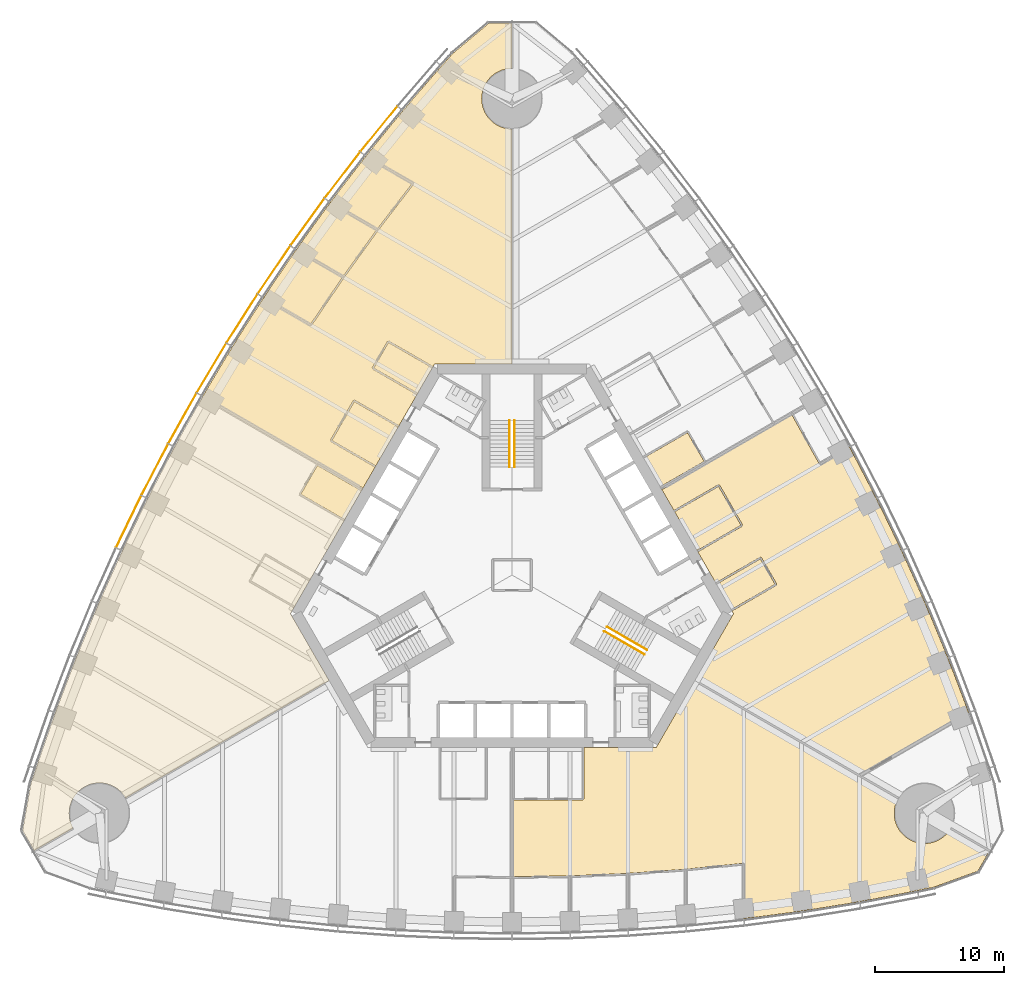
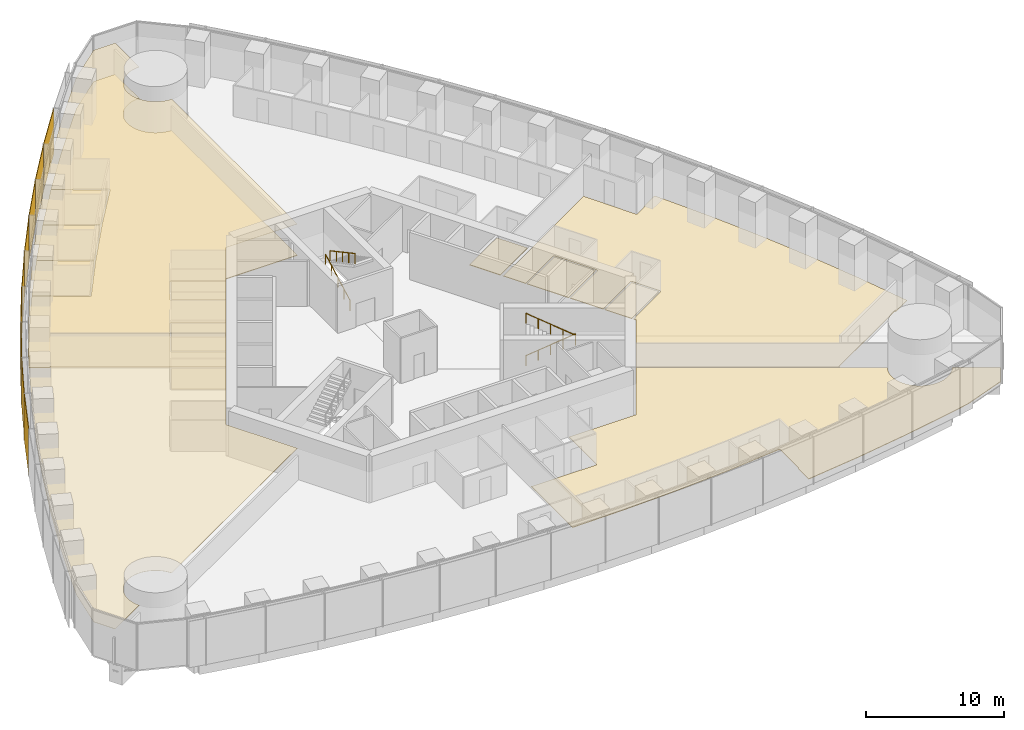
# One storey, part 15 of 18: 13 coverings, 9 shading devices, 4 railings.
"""IFC4 building model written with IfcOpenShell, lengths in metres."""

from ifc_helpers import new_model, si_unit, direction, frame, origin, origin_2d, place, context, subcontext, project, spatial, polyline, rectangle, circle, outline, extrude, material, layer, layer_set, type_object, element, save


model = new_model("IFC4")

# Units and contexts
model_context = context("Model", 3, precision=1e-05, world=origin(), true_north=direction((0.0, 1.0)))
body_context = subcontext(model_context, "Body", "Model", "MODEL_VIEW")
ifc_project = project(units=[si_unit("LENGTHUNIT", "METRE"), si_unit("AREAUNIT", "SQUARE_METRE"), si_unit("VOLUMEUNIT", "CUBIC_METRE"), si_unit("PLANEANGLEUNIT", "RADIAN"), si_unit("MASSUNIT", "GRAM", prefix="KILO")], contexts=[model_context])

# Site, building, storey
site_placement = place(None, origin())
site = spatial("IfcSite", under=ifc_project, at=site_placement, CompositionType="ELEMENT")
building_placement = place(site_placement, origin())
building = spatial("IfcBuilding", under=site, at=building_placement, Name="Trefoil Bronze Tower", CompositionType="ELEMENT")
storey_placement = place(building_placement, frame((0.0, 0.0, 37.5)))
storey = spatial("IfcBuildingStorey", under=building, at=storey_placement, Name="L08", CompositionType="ELEMENT", Elevation=37.5)

# Shading devices
ifc_material_1 = material(Name="Perforated bronze sheet", Category="bronze")
ifc_layer_1 = layer(ifc_material_1, 0.0400390625)
ifc_layer_set_1 = layer_set([ifc_layer_1], Name="Bronze solar screen panel")
shading_device_type = type_object("IfcShadingDeviceType", Name="Bronze solar screen panel", PredefinedType="SHUTTER", material=ifc_layer_set_1)
shading_device_1_placement = place(storey_placement, frame((-10.338623046875, 34.6474609375, 0.050048828125), z_axis=(0.0, 0.0, 1.0), x_axis=(-0.631810729457, -0.775122701346, 0.0)))
element("IfcShadingDevice", 1, at=shading_device_1_placement, inside=storey, type_object=shading_device_type, Name="Solar screen CW-A L08 F3 bay 3", PredefinedType="SHUTTER", context=body_context, shape_type="SweptSolid", body=[
    extrude(rectangle(XDim=4.5283203125, YDim=0.0400390625, at=origin_2d()), origin(), (0.0, 0.0, 1.0), 4.10009765625),
])
shading_device_2_placement = place(storey_placement, frame((-13.170166015625, 31.06787109375, 0.050048828125), z_axis=(0.0, 0.0, 1.0), x_axis=(-0.608807670879, -0.793317855515, 0.0)))
element("IfcShadingDevice", 2, at=shading_device_2_placement, inside=storey, type_object=shading_device_type, Name="Solar screen CW-A L08 F3 bay 4", PredefinedType="SHUTTER", context=body_context, shape_type="SweptSolid", body=[
    extrude(rectangle(XDim=4.5087890625, YDim=0.0400390625, at=origin_2d()), origin(), (0.0, 0.0, 1.0), 4.10009765625),
])
shading_device_3_placement = place(storey_placement, frame((-15.88525390625, 27.421142578125, 0.050048828125), z_axis=(0.0, 0.0, 1.0), x_axis=(-0.585372522213, -0.810764460394, 0.0)))
element("IfcShadingDevice", 3, at=shading_device_3_placement, inside=storey, type_object=shading_device_type, Name="Solar screen CW-A L08 F3 bay 5", PredefinedType="SHUTTER", context=body_context, shape_type="SweptSolid", body=[
    extrude(rectangle(XDim=4.493408203125, YDim=0.0400390625, at=origin_2d()), origin(), (0.0, 0.0, 1.0), 4.10009765625),
])
shading_device_4_placement = place(storey_placement, frame((-18.48486328125, 23.707763671875, 0.050048828125), z_axis=(0.0, 0.0, 1.0), x_axis=(-0.56150968077, -0.827470167681, 0.0)))
element("IfcShadingDevice", 4, at=shading_device_4_placement, inside=storey, type_object=shading_device_type, Name="Solar screen CW-A L08 F3 bay 6", PredefinedType="SHUTTER", context=body_context, shape_type="SweptSolid", body=[
    extrude(rectangle(XDim=4.48193359375, YDim=0.0400390625, at=origin_2d()), origin(), (0.0, 0.0, 1.0), 4.10009765625),
])
shading_device_5_placement = place(storey_placement, frame((-20.97021484375, 19.928466796875, 0.050048828125), z_axis=(0.0, 0.0, 1.0), x_axis=(-0.537222392469, -0.843440632783, 0.0)))
element("IfcShadingDevice", 5, at=shading_device_5_placement, inside=storey, type_object=shading_device_type, Name="Solar screen CW-A L08 F3 bay 7", PredefinedType="SHUTTER", context=body_context, shape_type="SweptSolid", body=[
    extrude(rectangle(XDim=4.474365234375, YDim=0.0400390625, at=origin_2d()), origin(), (0.0, 0.0, 1.0), 4.10009765625),
])
for number, where, z_axis, x_axis, name in (
    (6, (-23.341552734375, 16.083251953125, 0.050048828125), (0.0, 0.0, 1.0), (-0.51251279404, -0.858679588639, 0.0), "Solar screen CW-A L08 F3 bay 8"),
    (7, (-25.599365234375, 12.172607421875, 0.050048828125), (0.0, 0.0, 1.0), (-0.487381940453, -0.873188893722, 0.0), "Solar screen CW-A L08 F3 bay 9"),
):
    element("IfcShadingDevice", number, at=place(storey_placement, frame(where, z_axis=z_axis, x_axis=x_axis)), inside=storey, type_object=shading_device_type, Name=name, PredefinedType="SHUTTER", context=body_context, shape_type="SweptSolid", body=[
        extrude(rectangle(XDim=4.470458984375, YDim=0.0400390625, at=origin_2d()), origin(), (0.0, 0.0, 1.0), 4.10009765625),
    ])
shading_device_6_placement = place(storey_placement, frame((-27.74365234375, 8.1962890625, 0.050048828125), z_axis=(0.0, 0.0, 1.0), x_axis=(-0.46182981834, -0.886968555752, 0.0)))
element("IfcShadingDevice", 8, at=shading_device_6_placement, inside=storey, type_object=shading_device_type, Name="Solar screen CW-A L08 F3 bay 10", PredefinedType="SHUTTER", context=body_context, shape_type="SweptSolid", body=[
    extrude(rectangle(XDim=4.474365234375, YDim=0.0400390625, at=origin_2d()), origin(), (0.0, 0.0, 1.0), 4.10009765625),
])
shading_device_7_placement = place(storey_placement, frame((-29.77392578125, 4.154541015625, 0.050048828125), z_axis=(0.0, 0.0, 1.0), x_axis=(-0.4358553457, -0.900016731858, 0.0)))
element("IfcShadingDevice", 9, at=shading_device_7_placement, inside=storey, type_object=shading_device_type, Name="Solar screen CW-A L08 F3 bay 11", PredefinedType="SHUTTER", context=body_context, shape_type="SweptSolid", body=[
    extrude(rectangle(XDim=4.48193359375, YDim=0.0400390625, at=origin_2d()), origin(), (0.0, 0.0, 1.0), 4.10009765625),
])

# Railings
ifc_material_2 = material(Name="Steel handrail", Category="steel")
railing_type = type_object("IfcRailingType", Name="Handrail 900", PredefinedType="HANDRAIL", material=ifc_material_2)
railing_1_placement = place(storey_placement, frame((7.365966796875, -4.021728515625, 0.16162109375)))
element("IfcRailing", 10, at=railing_1_placement, inside=storey, type_object=railing_type, Name="Handrail ST1 flight 1 L08", PredefinedType="HANDRAIL", context=body_context, shape_type="SweptSolid", body=[
    extrude(circle(Radius=0.02392578125, at=origin_2d()), frame((0.0, 0.0, 0.8759765625), z_axis=(0.76250339821, -0.440245697338, 0.474101564745), x_axis=(0.500012057535, 0.866018442252, 0.0)), (0.0, 0.0, 1.0), 4.088623046875),
    extrude(circle(Radius=0.02099609375, at=origin_2d()), origin(), (0.0, 0.0, 1.0), 0.851806640625),
    extrude(circle(Radius=0.02099609375, at=origin_2d()), frame((0.779296875, -0.449951171875, 0.484619140625)), (0.0, 0.0, 1.0), 0.851806640625),
    extrude(circle(Radius=0.02099609375, at=origin_2d()), frame((1.558837890625, -0.89990234375, 0.96923828125)), (0.0, 0.0, 1.0), 0.851806640625),
    extrude(circle(Radius=0.02099609375, at=origin_2d()), frame((2.33837890625, -1.35009765625, 1.453857421875)), (0.0, 0.0, 1.0), 0.851806640625),
    extrude(circle(Radius=0.02099609375, at=origin_2d()), frame((3.11767578125, -1.800048828125, 1.9384765625)), (0.0, 0.0, 1.0), 0.851806640625),
])
railing_2_placement = place(storey_placement, frame((10.28369140625, -6.168212890625, 2.261474609375)))
element("IfcRailing", 11, at=railing_2_placement, inside=storey, type_object=railing_type, Name="Handrail ST1 flight 2 L08", PredefinedType="HANDRAIL", context=body_context, shape_type="SweptSolid", body=[
    extrude(circle(Radius=0.02392578125, at=origin_2d()), frame((0.0, 0.0, 0.8759765625), z_axis=(-0.76250339821, 0.440245697338, 0.474101564745), x_axis=(-0.500012057535, -0.866018442252, 0.0)), (0.0, 0.0, 1.0), 4.088623046875),
    extrude(circle(Radius=0.02099609375, at=origin_2d()), origin(), (0.0, 0.0, 1.0), 0.851806640625),
    extrude(circle(Radius=0.02099609375, at=origin_2d()), frame((-0.779296875, 0.449951171875, 0.484619140625)), (0.0, 0.0, 1.0), 0.851806640625),
    extrude(circle(Radius=0.02099609375, at=origin_2d()), frame((-1.558837890625, 0.89990234375, 0.96923828125)), (0.0, 0.0, 1.0), 0.851806640625),
    extrude(circle(Radius=0.02099609375, at=origin_2d()), frame((-2.33837890625, 1.35009765625, 1.453857421875)), (0.0, 0.0, 1.0), 0.851806640625),
    extrude(circle(Radius=0.02099609375, at=origin_2d()), frame((-3.11767578125, 1.800048828125, 1.9384765625)), (0.0, 0.0, 1.0), 0.851806640625),
])
railing_3_placement = place(storey_placement, frame((-0.199951171875, 8.389892578125, 0.16162109375)))
element("IfcRailing", 12, at=railing_3_placement, inside=storey, type_object=railing_type, Name="Handrail ST2 flight 1 L08", PredefinedType="HANDRAIL", context=body_context, shape_type="SweptSolid", body=[
    extrude(circle(Radius=0.02392578125, at=origin_2d()), frame((0.0, 0.0, 0.8759765625), z_axis=(0.0, 0.880474934443, 0.474092701714), x_axis=(-1.0, 0.0, 0.0)), (0.0, 0.0, 1.0), 4.0888671875),
    extrude(circle(Radius=0.02099609375, at=origin_2d()), origin(), (0.0, 0.0, 1.0), 0.851806640625),
    extrude(circle(Radius=0.02099609375, at=origin_2d()), frame((0.0, 0.89990234375, 0.484619140625)), (0.0, 0.0, 1.0), 0.851806640625),
    extrude(circle(Radius=0.02099609375, at=origin_2d()), frame((0.0, 1.800048828125, 0.96923828125)), (0.0, 0.0, 1.0), 0.851806640625),
    extrude(circle(Radius=0.02099609375, at=origin_2d()), frame((0.0, 2.7001953125, 1.453857421875)), (0.0, 0.0, 1.0), 0.851806640625),
    extrude(circle(Radius=0.02099609375, at=origin_2d()), frame((0.0, 3.60009765625, 1.9384765625)), (0.0, 0.0, 1.0), 0.851806640625),
])
railing_4_placement = place(storey_placement, frame((0.199951171875, 11.989990234375, 2.261474609375)))
element("IfcRailing", 13, at=railing_4_placement, inside=storey, type_object=railing_type, Name="Handrail ST2 flight 2 L08", PredefinedType="HANDRAIL", context=body_context, shape_type="SweptSolid", body=[
    extrude(circle(Radius=0.02392578125, at=origin_2d()), frame((0.0, 0.0, 0.8759765625), z_axis=(0.0, -0.880474934443, 0.474092701714), x_axis=(1.0, 0.0, 0.0)), (0.0, 0.0, 1.0), 4.0888671875),
    extrude(circle(Radius=0.02099609375, at=origin_2d()), origin(), (0.0, 0.0, 1.0), 0.851806640625),
    extrude(circle(Radius=0.02099609375, at=origin_2d()), frame((0.0, -0.89990234375, 0.484619140625)), (0.0, 0.0, 1.0), 0.851806640625),
    extrude(circle(Radius=0.02099609375, at=origin_2d()), frame((0.0, -1.800048828125, 0.96923828125)), (0.0, 0.0, 1.0), 0.851806640625),
    extrude(circle(Radius=0.02099609375, at=origin_2d()), frame((0.0, -2.7001953125, 1.453857421875)), (0.0, 0.0, 1.0), 0.851806640625),
    extrude(circle(Radius=0.02099609375, at=origin_2d()), frame((0.0, -3.60009765625, 1.9384765625)), (0.0, 0.0, 1.0), 0.851806640625),
])

# Coverings
ifc_material_3 = material(Name="Acoustic ceiling panels", Category="mineral fibre")
ifc_layer_2 = layer(ifc_material_3, 0.02001953125)
ifc_layer_set_2 = layer_set([ifc_layer_2], Name="Office ceiling 20")
covering_type_1 = type_object("IfcCoveringType", Name="Office ceiling 20", PredefinedType="CEILING", material=ifc_layer_set_2)
covering_1_placement = place(storey_placement, frame((0.0, 0.0, 2.89990234375)))
element("IfcCovering", 14, at=covering_1_placement, inside=storey, type_object=covering_type_1, Name="Ceiling L08 Open-plan office F3", PredefinedType="CEILING", context=body_context, shape_type="SweptSolid", body=[
    extrude(outline(polyline([(-36.9814453125, -15.021728515625), (-35.47998046875, -10.6923828125), (-33.860107421875, -6.431640625), (-32.123291015625, -2.23828125), (-30.271240234375, 1.888671875), (-28.3046875, 5.949462890625), (-26.224609375, 9.944580078125), (-24.031005859375, 13.87451171875), (-21.724609375, 17.73876953125), (-19.3046875, 21.537841796875), (-16.771240234375, 25.271484375), (-14.123291015625, 28.938720703125), (-11.360107421875, 32.53955078125), (-8.47998046875, 36.072998046875), (-5.4814453125, 39.537841796875), (-4.618896484375, 40.497314453125), (-1.82421875, 42.84228515625), (-0.01611328125, 42.84228515625), (-0.014892578125, 39.349609375), (-0.115234375, 39.34716796875), (-0.230224609375, 39.338623046875), (-0.3447265625, 39.32470703125), (-0.45849609375, 39.3046875), (-0.571044921875, 39.279541015625), (-0.68212890625, 39.248779296875), (-0.791748046875, 39.212646484375), (-0.8994140625, 39.171142578125), (-1.0048828125, 39.12451171875), (-1.10791015625, 39.072509765625), (-1.2080078125, 39.015625), (-1.3056640625, 38.9541015625), (-1.39990234375, 38.887451171875), (-1.49072265625, 38.816650390625), (-1.578125, 38.7412109375), (-1.66162109375, 38.66162109375), (-1.7412109375, 38.578125), (-1.816650390625, 38.49072265625), (-1.887451171875, 38.39990234375), (-1.9541015625, 38.3056640625), (-2.015625, 38.2080078125), (-2.072509765625, 38.10791015625), (-2.12451171875, 38.0048828125), (-2.171142578125, 37.8994140625), (-2.212646484375, 37.791748046875), (-2.248779296875, 37.68212890625), (-2.279541015625, 37.571044921875), (-2.3046875, 37.45849609375), (-2.32470703125, 37.3447265625), (-2.338623046875, 37.230224609375), (-2.34716796875, 37.115234375), (-2.35009765625, 37.0), (-2.34716796875, 36.884765625), (-2.338623046875, 36.769775390625), (-2.32470703125, 36.6552734375), (-2.3046875, 36.54150390625), (-2.279541015625, 36.428955078125), (-2.248779296875, 36.31787109375), (-2.212646484375, 36.208251953125), (-2.171142578125, 36.1005859375), (-2.12451171875, 35.9951171875), (-2.072509765625, 35.89208984375), (-2.015625, 35.7919921875), (-1.9541015625, 35.6943359375), (-1.887451171875, 35.60009765625), (-1.816650390625, 35.50927734375), (-1.7412109375, 35.421875), (-1.66162109375, 35.33837890625), (-1.578125, 35.2587890625), (-1.49072265625, 35.183349609375), (-1.39990234375, 35.112548828125), (-1.3056640625, 35.0458984375), (-1.2080078125, 34.984375), (-1.10791015625, 34.927490234375), (-1.0048828125, 34.87548828125), (-0.8994140625, 34.828857421875), (-0.791748046875, 34.787353515625), (-0.68212890625, 34.751220703125), (-0.571044921875, 34.720458984375), (-0.45849609375, 34.6953125), (-0.3447265625, 34.67529296875), (-0.230224609375, 34.661376953125), (-0.115234375, 34.65283203125), (-0.012939453125, 34.650390625), (-0.006103515625, 16.39990234375), (-6.00439453125, 16.39990234375), (-17.205078125, -3.0), (-14.205810546875, -8.194580078125), (-30.0146484375, -17.31396484375), (-30.02734375, -17.2919921875), (-30.089111328125, -17.1943359375), (-30.155517578125, -17.10009765625), (-30.226318359375, -17.00927734375), (-30.3017578125, -16.921875), (-30.381103515625, -16.83837890625), (-30.46484375, -16.7587890625), (-30.552001953125, -16.683349609375), (-30.64306640625, -16.612548828125), (-30.7373046875, -16.5458984375), (-30.834716796875, -16.484375), (-30.935302734375, -16.427490234375), (-31.0380859375, -16.37548828125), (-31.1435546875, -16.328857421875), (-31.251220703125, -16.287353515625), (-31.36083984375, -16.251220703125), (-31.471923828125, -16.220458984375), (-31.58447265625, -16.1953125), (-31.697998046875, -16.17529296875), (-31.8125, -16.161376953125), (-31.927490234375, -16.15283203125), (-32.04296875, -16.14990234375), (-32.158203125, -16.15283203125), (-32.273193359375, -16.161376953125), (-32.3876953125, -16.17529296875), (-32.50146484375, -16.1953125), (-32.614013671875, -16.220458984375), (-32.72509765625, -16.251220703125), (-32.834716796875, -16.287353515625), (-32.942138671875, -16.328857421875), (-33.047607421875, -16.37548828125), (-33.150634765625, -16.427490234375), (-33.251220703125, -16.484375), (-33.348388671875, -16.5458984375), (-33.44287109375, -16.612548828125), (-33.53369140625, -16.683349609375), (-33.62109375, -16.7587890625), (-33.70458984375, -16.83837890625), (-33.7841796875, -16.921875), (-33.859619140625, -17.00927734375), (-33.930419921875, -17.10009765625), (-33.996826171875, -17.1943359375), (-34.05859375, -17.2919921875), (-34.115478515625, -17.39208984375), (-34.167236328125, -17.4951171875), (-34.214111328125, -17.6005859375), (-34.255615234375, -17.708251953125), (-34.291748046875, -17.81787109375), (-34.322509765625, -17.928955078125), (-34.347900390625, -18.04150390625), (-34.367431640625, -18.1552734375), (-34.381591796875, -18.269775390625), (-34.39013671875, -18.384765625), (-34.392822265625, -18.5), (-34.39013671875, -18.615234375), (-34.381591796875, -18.730224609375), (-34.367431640625, -18.8447265625), (-34.347900390625, -18.95849609375), (-34.322509765625, -19.071044921875), (-34.291748046875, -19.18212890625), (-34.255615234375, -19.291748046875), (-34.214111328125, -19.3994140625), (-34.167236328125, -19.5048828125), (-34.115478515625, -19.60791015625), (-34.084716796875, -19.661865234375), (-37.110595703125, -21.4072265625), (-38.0146484375, -19.841552734375), (-37.381103515625, -16.248779296875), (-36.9814453125, -15.021728515625)])), origin(), (0.0, 0.0, 1.0), 0.02001953125),
])
ifc_material_4 = material(Name="Raised access floor panels", Category="steel")
ifc_layer_3 = layer(ifc_material_4, 0.050048828125)
ifc_layer_set_3 = layer_set([ifc_layer_3], Name="Raised access floor 150")
covering_type_2 = type_object("IfcCoveringType", Name="Raised access floor 150", PredefinedType="FLOORING", material=ifc_layer_set_3)
covering_2_placement = place(storey_placement, frame((0.0, 0.0, 0.10009765625)))
element("IfcCovering", 15, at=covering_2_placement, inside=storey, type_object=covering_type_2, Name="Raised floor L08 Open-plan office F1", PredefinedType="FLOORING", context=body_context, shape_type="SweptSolid", body=[
    extrude(outline(polyline([(18.0, -25.10986328125), (18.06005859375, -25.10986328125), (18.06005859375, -22.45068359375), (18.0, -22.45068359375), (17.993896484375, -22.390869140625), (13.494873046875, -22.850341796875), (8.99658203125, -23.177490234375), (4.498291015625, -23.373291015625), (0.074951171875, -23.4375), (0.074951171875, -17.39990234375), (0.125, -17.39990234375), (0.125, -17.4599609375), (5.52490234375, -17.4599609375), (5.52490234375, -17.39990234375), (5.5849609375, -17.39990234375), (5.5849609375, -13.39990234375), (11.20068359375, -13.39990234375), (14.19970703125, -8.205322265625), (30.001953125, -17.336669921875), (29.970458984375, -17.39208984375), (29.918701171875, -17.4951171875), (29.871826171875, -17.6005859375), (29.830322265625, -17.708251953125), (29.794189453125, -17.81787109375), (29.763427734375, -17.928955078125), (29.738037109375, -18.04150390625), (29.718505859375, -18.1552734375), (29.704345703125, -18.269775390625), (29.69580078125, -18.384765625), (29.69287109375, -18.5), (29.69580078125, -18.615234375), (29.704345703125, -18.730224609375), (29.718505859375, -18.8447265625), (29.738037109375, -18.95849609375), (29.763427734375, -19.071044921875), (29.794189453125, -19.18212890625), (29.830322265625, -19.291748046875), (29.871826171875, -19.3994140625), (29.918701171875, -19.5048828125), (29.970458984375, -19.60791015625), (30.02734375, -19.7080078125), (30.089111328125, -19.8056640625), (30.155517578125, -19.89990234375), (30.226318359375, -19.99072265625), (30.3017578125, -20.078125), (30.381103515625, -20.16162109375), (30.46484375, -20.2412109375), (30.552001953125, -20.316650390625), (30.64306640625, -20.387451171875), (30.7373046875, -20.4541015625), (30.834716796875, -20.515625), (30.935302734375, -20.572509765625), (31.0380859375, -20.62451171875), (31.1435546875, -20.671142578125), (31.251220703125, -20.712646484375), (31.36083984375, -20.748779296875), (31.471923828125, -20.779541015625), (31.58447265625, -20.8046875), (31.697998046875, -20.82470703125), (31.8125, -20.838623046875), (31.927490234375, -20.84716796875), (32.04296875, -20.85009765625), (32.158203125, -20.84716796875), (32.273193359375, -20.838623046875), (32.3876953125, -20.82470703125), (32.50146484375, -20.8046875), (32.614013671875, -20.779541015625), (32.72509765625, -20.748779296875), (32.834716796875, -20.712646484375), (32.942138671875, -20.671142578125), (33.047607421875, -20.62451171875), (33.150634765625, -20.572509765625), (33.251220703125, -20.515625), (33.348388671875, -20.4541015625), (33.44287109375, -20.387451171875), (33.53369140625, -20.316650390625), (33.62109375, -20.2412109375), (33.70458984375, -20.16162109375), (33.7841796875, -20.078125), (33.859619140625, -19.99072265625), (33.930419921875, -19.89990234375), (33.996826171875, -19.8056640625), (34.0703125, -19.6875), (37.094482421875, -21.43505859375), (36.190673828125, -23.0009765625), (32.762451171875, -24.248779296875), (31.5, -24.51611328125), (27.0, -25.38037109375), (22.5, -26.10791015625), (18.0, -26.70068359375), (18.0, -25.10986328125)])), origin(), (0.0, 0.0, 1.0), 0.0498046875),
])
covering_3_placement = place(storey_placement, frame((0.0, 0.0, 0.10009765625)))
element("IfcCovering", 16, at=covering_3_placement, inside=storey, type_object=covering_type_2, Name="Raised floor L08 Meeting room F2", PredefinedType="FLOORING", context=body_context, shape_type="SweptSolid", body=[
    extrude(outline(polyline([(12.634765625, 4.916015625), (16.046875, 6.885986328125), (17.786865234375, 3.872314453125), (14.374755859375, 1.902099609375), (12.634765625, 4.916015625)])), origin(), (0.0, 0.0, 1.0), 0.0498046875),
])
covering_4_placement = place(storey_placement, frame((0.0, 0.0, 0.10009765625)))
element("IfcCovering", 17, at=covering_4_placement, inside=storey, type_object=covering_type_2, Name="Raised floor L08 Pantry F2", PredefinedType="FLOORING", context=body_context, shape_type="SweptSolid", body=[
    extrude(outline(polyline([(10.22216796875, 9.094482421875), (13.634521484375, 11.064697265625), (14.92431640625, 8.830078125), (11.51220703125, 6.860107421875), (10.22216796875, 9.094482421875)])), origin(), (0.0, 0.0, 1.0), 0.0498046875),
])
covering_5_placement = place(storey_placement, frame((0.0, 0.0, 0.10009765625)))
element("IfcCovering", 18, at=covering_5_placement, inside=storey, type_object=covering_type_2, Name="Raised floor L08 Print and store room F2", PredefinedType="FLOORING", context=body_context, shape_type="SweptSolid", body=[
    extrude(outline(polyline([(15.884765625, -0.713134765625), (19.296875, 1.2568359375), (20.43701171875, -0.7177734375), (17.024658203125, -2.687744140625), (15.884765625, -0.713134765625)])), origin(), (0.0, 0.0, 1.0), 0.0498046875),
])
covering_6_placement = place(storey_placement, frame((0.0, 0.0, 0.10009765625)))
element("IfcCovering", 19, at=covering_6_placement, inside=storey, type_object=covering_type_2, Name="Raised floor L08 Open-plan office F2", PredefinedType="FLOORING", context=body_context, shape_type="SweptSolid", body=[
    extrude(outline(polyline([(27.01171875, -15.581787109375), (14.205810546875, -8.194580078125), (17.205078125, -3.0), (17.084716796875, -2.79150390625), (20.548828125, -0.79150390625), (20.518798828125, -0.73974609375), (20.57080078125, -0.709716796875), (19.370849609375, 1.368896484375), (19.31884765625, 1.3388671875), (19.288818359375, 1.390625), (15.82470703125, -0.609375), (14.434814453125, 1.79833984375), (17.898681640625, 3.79833984375), (17.868896484375, 3.850341796875), (17.9208984375, 3.88037109375), (16.120849609375, 6.997802734375), (16.06884765625, 6.968017578125), (16.038818359375, 7.02001953125), (12.57470703125, 5.02001953125), (11.605224609375, 6.69921875), (11.614013671875, 6.7041015625), (11.65087890625, 6.639892578125), (21.733642578125, 12.46142578125), (23.89013671875, 8.597900390625), (23.942626953125, 8.627197265625), (23.97265625, 8.5751953125), (24.885498046875, 9.102294921875), (24.855712890625, 9.154296875), (26.224609375, 9.944580078125), (28.3046875, 5.949462890625), (30.271240234375, 1.888671875), (32.123291015625, -2.23828125), (33.860107421875, -6.431640625), (35.47998046875, -10.6923828125), (34.090576171875, -11.49462890625), (34.04052734375, -11.408203125), (27.0048828125, -15.47021484375), (27.054931640625, -15.556640625), (27.01171875, -15.581787109375)])), origin(), (0.0, 0.0, 1.0), 0.0498046875),
])
covering_7_placement = place(storey_placement, frame((0.0, 0.0, 0.10009765625)))
element("IfcCovering", 20, at=covering_7_placement, inside=storey, type_object=covering_type_2, Name="Raised floor L08 Meeting room F3", PredefinedType="FLOORING", context=body_context, shape_type="SweptSolid", body=[
    extrude(outline(polyline([(-10.57470703125, 8.48388671875), (-13.98681640625, 10.4541015625), (-12.246826171875, 13.4677734375), (-8.834716796875, 11.497802734375), (-10.57470703125, 8.48388671875)])), origin(), (0.0, 0.0, 1.0), 0.0498046875),
])
covering_8_placement = place(storey_placement, frame((0.0, 0.0, 0.10009765625)))
element("IfcCovering", 21, at=covering_8_placement, inside=storey, type_object=covering_type_2, Name="Raised floor L08 Pantry F3", PredefinedType="FLOORING", context=body_context, shape_type="SweptSolid", body=[
    extrude(outline(polyline([(-12.9873046875, 4.305419921875), (-16.3994140625, 6.275390625), (-15.109375, 8.509765625), (-11.697265625, 6.539794921875), (-12.9873046875, 4.305419921875)])), origin(), (0.0, 0.0, 1.0), 0.0498046875),
])
covering_9_placement = place(storey_placement, frame((0.0, 0.0, 0.10009765625)))
element("IfcCovering", 22, at=covering_9_placement, inside=storey, type_object=covering_type_2, Name="Raised floor L08 Store F3", PredefinedType="FLOORING", context=body_context, shape_type="SweptSolid", body=[
    extrude(outline(polyline([(-7.32470703125, 14.11328125), (-10.73681640625, 16.083251953125), (-9.596923828125, 18.0576171875), (-6.184814453125, 16.087646484375), (-7.32470703125, 14.11328125)])), origin(), (0.0, 0.0, 1.0), 0.0498046875),
])
covering_10_placement = place(storey_placement, frame((0.0, 0.0, 0.10009765625)))
element("IfcCovering", 23, at=covering_10_placement, inside=storey, type_object=covering_type_2, Name="Raised floor L08 Office F3", PredefinedType="FLOORING", context=body_context, shape_type="SweptSolid", body=[
    extrude(outline(polyline([(-14.123291015625, 28.938720703125), (-11.360107421875, 32.53955078125), (-9.977294921875, 31.7412109375), (-10.007080078125, 31.689208984375), (-7.768798828125, 30.396728515625), (-10.45849609375, 26.89208984375), (-12.7158203125, 28.1953125), (-12.745849609375, 28.143310546875), (-14.123291015625, 28.938720703125)])), origin(), (0.0, 0.0, 1.0), 0.0498046875),
])
covering_11_placement = place(storey_placement, frame((0.0, 0.0, 0.10009765625)))
element("IfcCovering", 24, at=covering_11_placement, inside=storey, type_object=covering_type_2, Name="Raised floor L08 Office F3", PredefinedType="FLOORING", context=body_context, shape_type="SweptSolid", body=[
    extrude(outline(polyline([(-14.123291015625, 28.938720703125), (-12.745849609375, 28.143310546875), (-12.77587890625, 28.091552734375), (-10.5302734375, 26.794921875), (-13.107666015625, 23.225341796875), (-15.367919921875, 24.5302734375), (-15.397705078125, 24.478515625), (-16.771240234375, 25.271484375), (-14.123291015625, 28.938720703125)])), origin(), (0.0, 0.0, 1.0), 0.0498046875),
])
covering_12_placement = place(storey_placement, frame((0.0, 0.0, 0.10009765625)))
element("IfcCovering", 25, at=covering_12_placement, inside=storey, type_object=covering_type_2, Name="Raised floor L08 Meeting room F3", PredefinedType="FLOORING", context=body_context, shape_type="SweptSolid", body=[
    extrude(outline(polyline([(-19.3046875, 21.537841796875), (-16.771240234375, 25.271484375), (-15.397705078125, 24.478515625), (-15.427734375, 24.426513671875), (-13.176513671875, 23.126708984375), (-15.642578125, 19.492919921875), (-17.904052734375, 20.798583984375), (-17.93408203125, 20.74658203125), (-19.3046875, 21.537841796875)])), origin(), (0.0, 0.0, 1.0), 0.0498046875),
])
covering_13_placement = place(storey_placement, frame((0.0, 0.0, 0.10009765625)))
element("IfcCovering", 26, at=covering_13_placement, inside=storey, type_object=covering_type_2, Name="Raised floor L08 Open-plan office F3", PredefinedType="FLOORING", context=body_context, shape_type="SweptSolid", body=[
    extrude(outline(polyline([(-19.3046875, 21.537841796875), (-17.93408203125, 20.74658203125), (-17.964111328125, 20.694580078125), (-15.654052734375, 19.36083984375), (-15.6240234375, 19.412841796875), (-15.574462890625, 19.379150390625), (-13.04150390625, 23.11181640625), (-10.394775390625, 26.77783203125), (-7.6318359375, 30.3779296875), (-7.679443359375, 30.41455078125), (-7.6494140625, 30.466552734375), (-9.947265625, 31.793212890625), (-9.977294921875, 31.7412109375), (-11.360107421875, 32.53955078125), (-8.47998046875, 36.072998046875), (-5.4814453125, 39.537841796875), (-4.618896484375, 40.497314453125), (-1.82421875, 42.84228515625), (-0.01611328125, 42.84228515625), (-0.014892578125, 39.349609375), (-0.115234375, 39.34716796875), (-0.230224609375, 39.338623046875), (-0.3447265625, 39.32470703125), (-0.45849609375, 39.3046875), (-0.571044921875, 39.279541015625), (-0.68212890625, 39.248779296875), (-0.791748046875, 39.212646484375), (-0.8994140625, 39.171142578125), (-1.0048828125, 39.12451171875), (-1.10791015625, 39.072509765625), (-1.2080078125, 39.015625), (-1.3056640625, 38.9541015625), (-1.39990234375, 38.887451171875), (-1.49072265625, 38.816650390625), (-1.578125, 38.7412109375), (-1.66162109375, 38.66162109375), (-1.7412109375, 38.578125), (-1.816650390625, 38.49072265625), (-1.887451171875, 38.39990234375), (-1.9541015625, 38.3056640625), (-2.015625, 38.2080078125), (-2.072509765625, 38.10791015625), (-2.12451171875, 38.0048828125), (-2.171142578125, 37.8994140625), (-2.212646484375, 37.791748046875), (-2.248779296875, 37.68212890625), (-2.279541015625, 37.571044921875), (-2.3046875, 37.45849609375), (-2.32470703125, 37.3447265625), (-2.338623046875, 37.230224609375), (-2.34716796875, 37.115234375), (-2.35009765625, 37.0), (-2.34716796875, 36.884765625), (-2.338623046875, 36.769775390625), (-2.32470703125, 36.6552734375), (-2.3046875, 36.54150390625), (-2.279541015625, 36.428955078125), (-2.248779296875, 36.31787109375), (-2.212646484375, 36.208251953125), (-2.171142578125, 36.1005859375), (-2.12451171875, 35.9951171875), (-2.072509765625, 35.89208984375), (-2.015625, 35.7919921875), (-1.9541015625, 35.6943359375), (-1.887451171875, 35.60009765625), (-1.816650390625, 35.50927734375), (-1.7412109375, 35.421875), (-1.66162109375, 35.33837890625), (-1.578125, 35.2587890625), (-1.49072265625, 35.183349609375), (-1.39990234375, 35.112548828125), (-1.3056640625, 35.0458984375), (-1.2080078125, 34.984375), (-1.10791015625, 34.927490234375), (-1.0048828125, 34.87548828125), (-0.8994140625, 34.828857421875), (-0.791748046875, 34.787353515625), (-0.68212890625, 34.751220703125), (-0.571044921875, 34.720458984375), (-0.45849609375, 34.6953125), (-0.3447265625, 34.67529296875), (-0.230224609375, 34.661376953125), (-0.115234375, 34.65283203125), (-0.012939453125, 34.650390625), (-0.006103515625, 16.39990234375), (-6.00439453125, 16.39990234375), (-6.124755859375, 16.191650390625), (-9.5888671875, 18.191650390625), (-9.618896484375, 18.1396484375), (-9.6708984375, 18.169677734375), (-10.870849609375, 16.09130859375), (-10.81884765625, 16.061279296875), (-10.848876953125, 16.00927734375), (-7.384765625, 14.00927734375), (-8.774658203125, 11.601806640625), (-12.23876953125, 13.601806640625), (-12.268798828125, 13.5498046875), (-12.32080078125, 13.57958984375), (-14.120849609375, 10.462158203125), (-14.06884765625, 10.43212890625), (-14.098876953125, 10.380126953125), (-10.634765625, 8.380126953125), (-11.604248046875, 6.700927734375), (-11.61279296875, 6.705810546875), (-11.575927734375, 6.77001953125), (-22.625244140625, 13.1494140625), (-22.662353515625, 13.085205078125), (-24.030517578125, 13.875244140625), (-21.724609375, 17.73876953125), (-19.3046875, 21.537841796875)])), origin(), (0.0, 0.0, 1.0), 0.0498046875),
])

save(model, "model.ifc")
